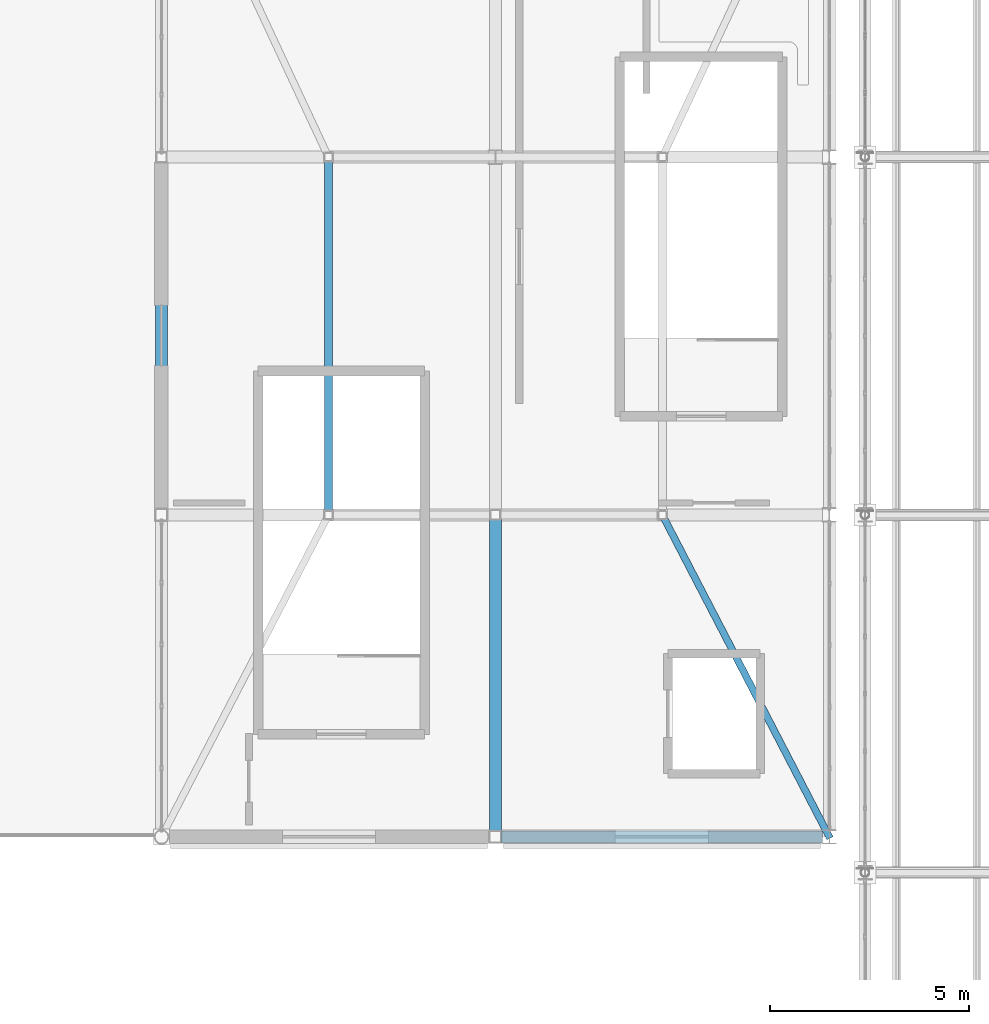
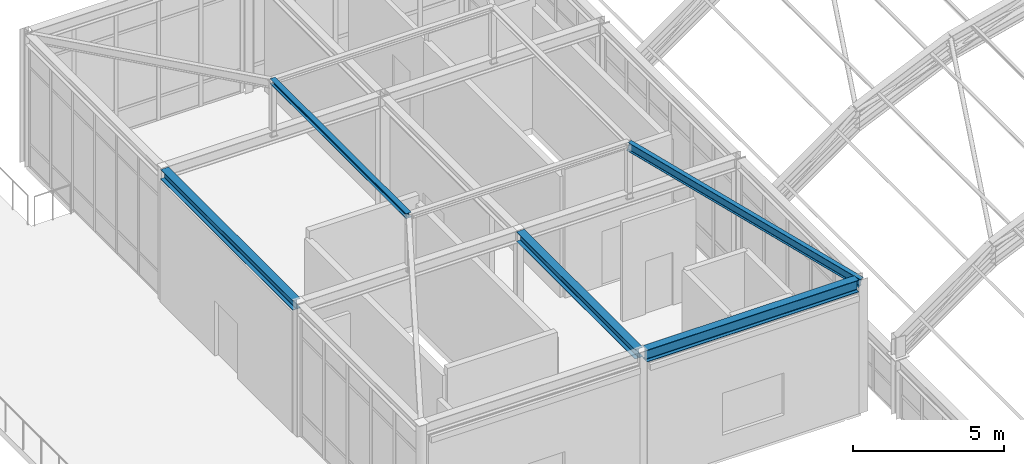
# One storey, part 48 of 121: 4 beams, 1 member.
"""IFC4 building model written with IfcOpenShell, lengths in metres."""

import ifcopenshell
import ifcopenshell.guid

model = None  # the IFC model being written
_history = None  # IfcOwnerHistory: only IFC2X3 demands one
_inside = {}  # id of a spatial element -> (the spatial element, [elements in it])
_under = {}  # id of a project, library or spatial element -> (it, [spatial elements below it])
_declared = {}  # id of a project -> (the project, [libraries it declares])
_typed = {}  # id of a type object -> (the type object, [elements of that type])
_made_of = {}  # id of a material, layer set ... -> (it, [elements and type objects made of it])


def new_model(schema):
    """Start an empty IFC model of exactly this schema.

    Asked for "IFC4X3", IfcOpenShell would pick the latest addendum, in which some entities
    have other attributes; the version numbers below select the first issue.
    IFC2X3 requires an IfcOwnerHistory on every rooted entity: one is made here for all.
    """
    global model, _history
    if schema == "IFC4X3":
        model = ifcopenshell.file(schema_version=(4, 3, 0, 0))
    else:
        model = ifcopenshell.file(schema=schema)
    _inside.clear()
    _under.clear()
    _declared.clear()
    _typed.clear()
    _made_of.clear()
    _history = None
    if model.schema == "IFC2X3":
        org = make("IfcOrganization", Name="unknown")
        user = make(
            "IfcPersonAndOrganization",
            ThePerson=make("IfcPerson", FamilyName="unknown"),
            TheOrganization=org,
        )
        app = make(
            "IfcApplication",
            ApplicationDeveloper=org,
            Version="unknown",
            ApplicationFullName="unknown",
            ApplicationIdentifier="unknown",
        )
        _history = make(
            "IfcOwnerHistory",
            OwningUser=user,
            OwningApplication=app,
            ChangeAction="ADDED",
            CreationDate=0,
        )
    return model


def make(cls, **values):
    """One entity of the class cls with the attributes given. An attribute that is None is left unset."""
    return model.create_entity(
        cls, **{name: value for name, value in values.items() if value is not None}
    )


def rooted(cls, **values):
    """An entity with a GlobalId (a new one), such as an element, a storey or a relation."""
    return make(cls, GlobalId=ifcopenshell.guid.new(), OwnerHistory=_history, **values)


def si_unit(unit_type, name, prefix=None):
    """IfcSIUnit, for example si_unit("LENGTHUNIT", "METRE", prefix="MILLI")."""
    return make("IfcSIUnit", UnitType=unit_type, Prefix=prefix, Name=name)


def assignment(units):
    """IfcUnitAssignment: the units of a project."""
    return None if units is None else make("IfcUnitAssignment", Units=units)


def point(xyz):
    """IfcCartesianPoint."""
    return None if xyz is None else make("IfcCartesianPoint", Coordinates=xyz)


def direction(xyz):
    """IfcDirection."""
    return None if xyz is None else make("IfcDirection", DirectionRatios=xyz)


def frame(location, z_axis=None, x_axis=None):
    """IfcAxis2Placement3D, a coordinate frame: its origin and axes. An axis left out is left unset."""
    return make(
        "IfcAxis2Placement3D",
        Location=point(location),
        Axis=direction(z_axis),
        RefDirection=direction(x_axis),
    )


def frame_2d(location, x_axis=None):
    """IfcAxis2Placement2D, a coordinate frame in the plane: its origin and x axis."""
    return make(
        "IfcAxis2Placement2D", Location=point(location), RefDirection=direction(x_axis)
    )


def origin():
    """The frame at (0, 0, 0) with its axes left unset."""
    return frame((0.0, 0.0, 0.0))


def origin_2d():
    """The frame at (0, 0) in the plane with its x axis left unset."""
    return frame_2d((0.0, 0.0))


def place(relative_to, where):
    """IfcLocalPlacement: puts the frame where relative to a parent placement (None: the world)."""
    return make(
        "IfcLocalPlacement", PlacementRelTo=relative_to, RelativePlacement=where
    )


def context(
    kind, dimensions, precision=None, world=None, true_north=None, identifier=None
):
    """IfcGeometricRepresentationContext, for example the 3D "Model" context."""
    return make(
        "IfcGeometricRepresentationContext",
        ContextIdentifier=identifier,
        ContextType=kind,
        CoordinateSpaceDimension=dimensions,
        Precision=precision,
        WorldCoordinateSystem=world,
        TrueNorth=true_north,
    )


def subcontext(parent, identifier, kind, view, scale=None):
    """IfcGeometricRepresentationSubContext, for example "Body" below "Model"."""
    return make(
        "IfcGeometricRepresentationSubContext",
        ContextIdentifier=identifier,
        ContextType=kind,
        ParentContext=parent,
        TargetScale=scale,
        TargetView=view,
    )


def project(units=None, contexts=None):
    """IfcProject with its units and contexts."""
    return rooted(
        "IfcProject",
        Name="project",
        RepresentationContexts=contexts,
        UnitsInContext=assignment(units),
    )


def spatial(cls, under=None, at=None, **own):
    """A site, building, storey or space (cls), placed at a placement, below another one or the project."""
    s = rooted(cls, ObjectPlacement=at, **own)
    if under is not None:
        _under.setdefault(under.id(), (under, []))[1].append(s)
    return s


def profile(cls, at=None, kind="AREA", **sizes):
    """A parametric profile (cls). Its sizes go by their IFC names, for example OverallWidth=200.0."""
    return make(cls, ProfileType=kind, Position=at, **sizes)


def i_section(**sizes):
    """IfcIShapeProfileDef."""
    return profile("IfcIShapeProfileDef", **sizes)


def extrude(swept, where, along, depth):
    """IfcExtrudedAreaSolid: the profile swept, set in the frame where, extruded along a direction by depth."""
    return make(
        "IfcExtrudedAreaSolid",
        SweptArea=swept,
        Position=where,
        ExtrudedDirection=direction(along),
        Depth=depth,
    )


def shape(context_of_items, identifier, shape_type, items):
    """IfcShapeRepresentation: the items that make up one representation, for example the "Body"."""
    return make(
        "IfcShapeRepresentation",
        ContextOfItems=context_of_items,
        RepresentationIdentifier=identifier,
        RepresentationType=shape_type,
        Items=items,
    )


def material(Name=None, Category=None):
    """IfcMaterial."""
    return make("IfcMaterial", Name=Name, Category=Category)


def material_profile(
    of_material, cross_section, Name=None, Category=None, Priority=None
):
    """IfcMaterialProfile: a cross section and its material."""
    return make(
        "IfcMaterialProfile",
        Name=Name,
        Material=of_material,
        Profile=cross_section,
        Priority=Priority,
        Category=Category,
    )


def profile_set(profiles, Name=None, composite=None):
    """IfcMaterialProfileSet."""
    return make(
        "IfcMaterialProfileSet",
        Name=Name,
        MaterialProfiles=profiles,
        CompositeProfile=composite,
    )


def made_of(thing, what):
    """Note that an element or type object is made of a material, layer set ...; save() writes the relation."""
    if what is not None:
        _made_of.setdefault(what.id(), (what, []))[1].append(thing)
    return thing


def type_object(cls, material=None, **own):
    """A type object (cls), such as IfcWallType, which elements share."""
    return made_of(rooted(cls, **own), material)


def element(
    cls,
    number,
    at=None,
    inside=None,
    cuts=None,
    type_object=None,
    material=None,
    context=None,
    identifier="Body",
    shape_type=None,
    held_by="IfcProductDefinitionShape",
    body=None,
    shapes=None,
    **own,
):
    """One element of the class cls, such as IfcWall. Its Tag is "e" and its number.

    at: its placement. inside: the storey or other place that contains it. cuts: it is an
    opening in that element (IfcRelVoidsElement). A single representation is given by context,
    identifier, shape_type and body (its items); several are given by shapes. held_by: the class
    of the entity that holds the representations. save() writes the other relations.
    """
    e = rooted(cls, Tag="e%d" % number, ObjectPlacement=at, **own)
    if body is not None:
        shapes = [shape(context, identifier, shape_type, body)]
    if shapes is not None:
        e.Representation = make(held_by, Representations=shapes)
    if inside is not None:
        _inside.setdefault(inside.id(), (inside, []))[1].append(e)
    if cuts is not None:
        rooted(
            "IfcRelVoidsElement", RelatingBuildingElement=cuts, RelatedOpeningElement=e
        )
    if type_object is not None:
        _typed.setdefault(type_object.id(), (type_object, []))[1].append(e)
    return made_of(e, material)


def aggregate(whole, parts):
    """IfcRelAggregates: a whole, such as a stair, and the parts it consists of."""
    return rooted("IfcRelAggregates", RelatingObject=whole, RelatedObjects=parts)


def save(model, path):
    """Write the relations noted so far, then the file.

    IfcRelAggregates (storeys below a building ...), IfcRelContainedInSpatialStructure (elements
    in a storey), IfcRelDefinesByType, IfcRelAssociatesMaterial and IfcRelDeclares: one each for
    every whole, place, type object, material and project.
    """
    for whole, parts in _under.values():
        aggregate(whole, parts)
    for where, things in _inside.values():
        rooted(
            "IfcRelContainedInSpatialStructure",
            RelatedElements=things,
            RelatingStructure=where,
        )
    for kind, things in _typed.values():
        rooted("IfcRelDefinesByType", RelatedObjects=things, RelatingType=kind)
    for what, things in _made_of.values():
        rooted("IfcRelAssociatesMaterial", RelatedObjects=things, RelatingMaterial=what)
    for by, libraries in _declared.values():
        rooted("IfcRelDeclares", RelatingContext=by, RelatedDefinitions=libraries)
    model.write(path)


model = new_model("IFC4")

# Units and contexts
model_context = context("Model", 3, precision=1e-05, world=origin(), true_north=direction((0.0, 1.0)))
body_context = subcontext(model_context, "Body", "Model", "MODEL_VIEW")
ifc_project = project(units=[si_unit("LENGTHUNIT", "METRE"), si_unit("AREAUNIT", "SQUARE_METRE"), si_unit("VOLUMEUNIT", "CUBIC_METRE"), si_unit("PLANEANGLEUNIT", "RADIAN"), si_unit("MASSUNIT", "GRAM", prefix="KILO")], contexts=[model_context])

# Site, building, storey
site_placement = place(None, origin())
site = spatial("IfcSite", under=ifc_project, at=site_placement, CompositionType="ELEMENT")
building_placement = place(site_placement, origin())
building = spatial("IfcBuilding", under=site, at=building_placement, Name="Canglan Escarpment Cableway Terminal", CompositionType="ELEMENT")
storey_placement = place(building_placement, frame((0.0, 0.0, 24.60009765625)))
storey = spatial("IfcBuildingStorey", under=building, at=storey_placement, Name="L05", CompositionType="ELEMENT", Elevation=24.60009765625)

# Beams
ifc_material = material(Name="Steel Q355B", Category="steel")
ifc_material_profile_1 = material_profile(ifc_material, i_section(OverallWidth=0.175048828125, OverallDepth=0.35009765625, WebThickness=0.007080078125, FlangeThickness=0.010986328125, FilletRadius=0.013916015625, at=origin_2d()), Name="HN 350x175x7x11")
ifc_profile_set_1 = profile_set([ifc_material_profile_1], Name="Steel Q355B")
beam_type_1 = type_object("IfcBeamType", Name="BM-HIP-RAFTER-HN350", PredefinedType="BEAM", material=ifc_profile_set_1)
beam_1_placement = place(storey_placement, frame((136.699951171875, 88.89990234375, 5.139892578125), z_axis=(-0.448579672223, 0.86513842731, 0.224302873944), x_axis=(-0.887758986163, -0.460308573119, 0.0)))
element("IfcBeam", 1, at=beam_1_placement, inside=storey, type_object=beam_type_1, Name="Drive House hip rafter RF-B1", PredefinedType="BEAM", context=body_context, shape_type="SweptSolid", body=[
    extrude(i_section(OverallWidth=0.175048828125, OverallDepth=0.35009765625, WebThickness=0.007080078125, FlangeThickness=0.010986328125, FilletRadius=0.013916015625, at=origin_2d()), origin(), (0.0, 0.0, 1.0), 9.36279296875),
])
ifc_material_profile_2 = material_profile(ifc_material, i_section(OverallWidth=0.300048828125, OverallDepth=0.389892578125, WebThickness=0.010009765625, FlangeThickness=0.01611328125, FilletRadius=0.02197265625, at=origin_2d()), Name="HM 390x300x10x16")
ifc_profile_set_2 = profile_set([ifc_material_profile_2], Name="Steel Q355B")
beam_type_2 = type_object("IfcBeamType", Name="BM-HM390", PredefinedType="BEAM", material=ifc_profile_set_2)
beam_2_placement = place(storey_placement, frame((119.89990234375, 97.139892578125, 5.139892578125), z_axis=(0.0, 1.0, 0.0), x_axis=(-1.0, 0.0, 0.0)))
element("IfcBeam", 2, at=beam_2_placement, inside=storey, type_object=beam_type_2, Name="Drive House roof transverse tie girder B-11", PredefinedType="BEAM", context=body_context, shape_type="SweptSolid", body=[
    extrude(i_section(OverallWidth=0.300048828125, OverallDepth=0.389892578125, WebThickness=0.010009765625, FlangeThickness=0.01611328125, FilletRadius=0.02197265625, at=origin_2d()), origin(), (0.0, 0.0, 1.0), 8.7451171875),
])
beam_3_placement = place(storey_placement, frame((128.300048828125, 89.0400390625, 5.139892578125), z_axis=(0.0, 1.0, 0.0), x_axis=(-1.0, 0.0, 0.0)))
element("IfcBeam", 3, at=beam_3_placement, inside=storey, type_object=beam_type_2, Name="Drive House roof transverse tie girder B-11", PredefinedType="BEAM", context=body_context, shape_type="SweptSolid", body=[
    extrude(i_section(OverallWidth=0.300048828125, OverallDepth=0.389892578125, WebThickness=0.010009765625, FlangeThickness=0.01611328125, FilletRadius=0.02197265625, at=origin_2d()), origin(), (0.0, 0.0, 1.0), 7.844970703125),
])
ifc_material_profile_3 = material_profile(ifc_material, i_section(OverallWidth=0.300048828125, OverallDepth=0.488037109375, WebThickness=0.010986328125, FlangeThickness=0.01806640625, FilletRadius=0.02587890625, at=origin_2d()), Name="HM 488x300x11x18")
ifc_profile_set_3 = profile_set([ifc_material_profile_3], Name="Steel Q355B")
beam_type_3 = type_object("IfcBeamType", Name="BM-HM488", PredefinedType="BEAM", material=ifc_profile_set_3)
beam_4_placement = place(storey_placement, frame((128.43994140625, 88.89990234375, 5.139892578125), z_axis=(1.0, 0.0, 0.0), x_axis=(0.0, 1.0, 0.0)))
element("IfcBeam", 4, at=beam_4_placement, inside=storey, type_object=beam_type_3, Name="Drive House roof eave tie girder B-09", PredefinedType="BEAM", context=body_context, shape_type="SweptSolid", body=[
    extrude(i_section(OverallWidth=0.300048828125, OverallDepth=0.488037109375, WebThickness=0.010986328125, FlangeThickness=0.01806640625, FilletRadius=0.02587890625, at=origin_2d()), origin(), (0.0, 0.0, 1.0), 8.094970703125),
])

# Member
ifc_material_profile_4 = material_profile(ifc_material, i_section(OverallWidth=0.199951171875, OverallDepth=0.199951171875, WebThickness=0.008056640625, FlangeThickness=0.011962890625, FilletRadius=0.012939453125, at=origin_2d()), Name="HW 200x200x8x12")
ifc_profile_set_4 = profile_set([ifc_material_profile_4], Name="Steel Q355B")
member_type = type_object("IfcMemberType", Name="MB-HIP-TIE-HW200", PredefinedType="CHORD", material=ifc_profile_set_4)
member_placement = place(storey_placement, frame((124.10009765625, 106.0, 7.33984375), z_axis=(0.0, -1.0, 0.0), x_axis=(1.0, 0.0, 0.0)))
element("IfcMember", 5, at=member_placement, inside=storey, type_object=member_type, Name="Drive House lantern ring chord RF-CH1", PredefinedType="CHORD", context=body_context, shape_type="SweptSolid", body=[
    extrude(i_section(OverallWidth=0.199951171875, OverallDepth=0.199951171875, WebThickness=0.008056640625, FlangeThickness=0.011962890625, FilletRadius=0.012939453125, at=origin_2d()), origin(), (0.0, 0.0, 1.0), 9.0),
])

save(model, "model.ifc")
